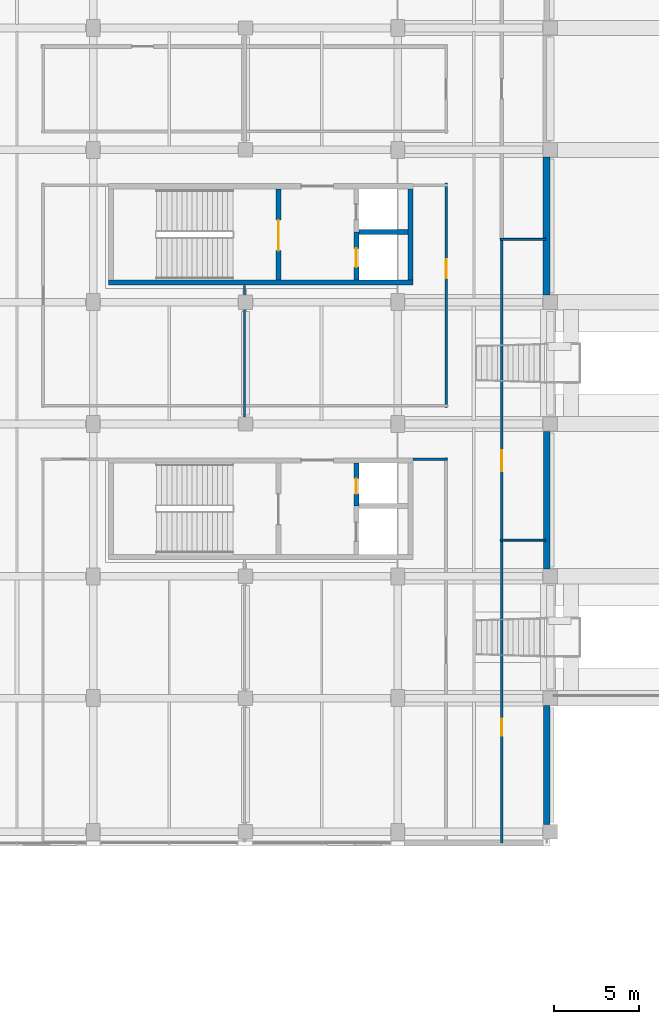
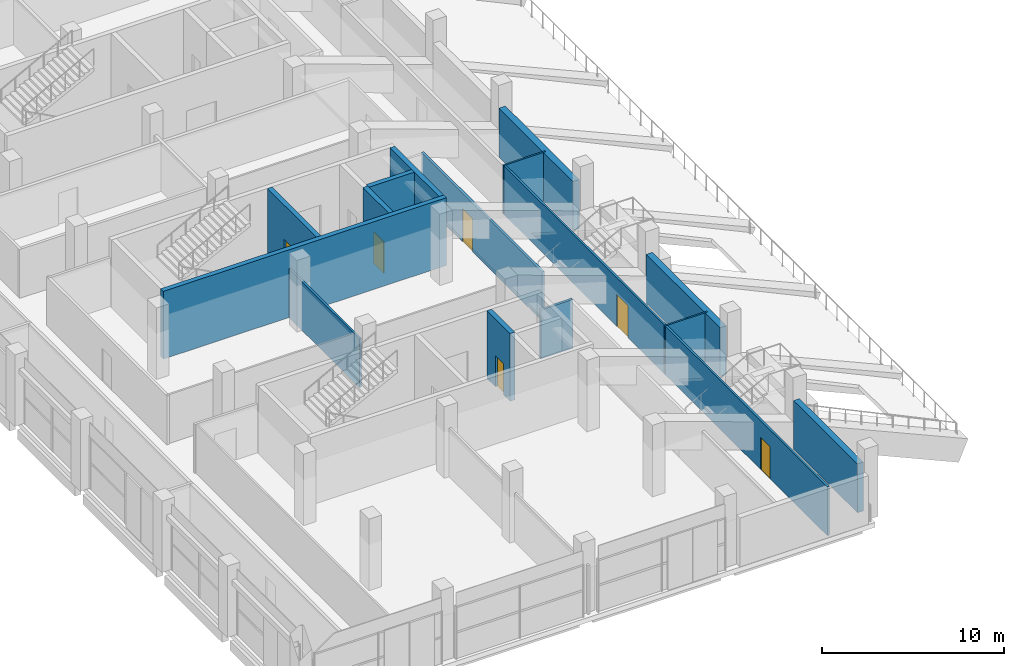
# One storey, part 48 of 66: 16 walls, 6 doors, 6 openings.
"""IFC4 building model written with IfcOpenShell, lengths in metres."""

import ifcopenshell
import ifcopenshell.guid

model = None  # the IFC model being written
_history = None  # IfcOwnerHistory: only IFC2X3 demands one
_inside = {}  # id of a spatial element -> (the spatial element, [elements in it])
_under = {}  # id of a project, library or spatial element -> (it, [spatial elements below it])
_declared = {}  # id of a project -> (the project, [libraries it declares])
_typed = {}  # id of a type object -> (the type object, [elements of that type])
_made_of = {}  # id of a material, layer set ... -> (it, [elements and type objects made of it])


def new_model(schema):
    """Start an empty IFC model of exactly this schema.

    Asked for "IFC4X3", IfcOpenShell would pick the latest addendum, in which some entities
    have other attributes; the version numbers below select the first issue.
    IFC2X3 requires an IfcOwnerHistory on every rooted entity: one is made here for all.
    """
    global model, _history
    if schema == "IFC4X3":
        model = ifcopenshell.file(schema_version=(4, 3, 0, 0))
    else:
        model = ifcopenshell.file(schema=schema)
    _inside.clear()
    _under.clear()
    _declared.clear()
    _typed.clear()
    _made_of.clear()
    _history = None
    if model.schema == "IFC2X3":
        org = make("IfcOrganization", Name="unknown")
        user = make(
            "IfcPersonAndOrganization",
            ThePerson=make("IfcPerson", FamilyName="unknown"),
            TheOrganization=org,
        )
        app = make(
            "IfcApplication",
            ApplicationDeveloper=org,
            Version="unknown",
            ApplicationFullName="unknown",
            ApplicationIdentifier="unknown",
        )
        _history = make(
            "IfcOwnerHistory",
            OwningUser=user,
            OwningApplication=app,
            ChangeAction="ADDED",
            CreationDate=0,
        )
    return model


def make(cls, **values):
    """One entity of the class cls with the attributes given. An attribute that is None is left unset."""
    return model.create_entity(
        cls, **{name: value for name, value in values.items() if value is not None}
    )


def rooted(cls, **values):
    """An entity with a GlobalId (a new one), such as an element, a storey or a relation."""
    return make(cls, GlobalId=ifcopenshell.guid.new(), OwnerHistory=_history, **values)


def si_unit(unit_type, name, prefix=None):
    """IfcSIUnit, for example si_unit("LENGTHUNIT", "METRE", prefix="MILLI")."""
    return make("IfcSIUnit", UnitType=unit_type, Prefix=prefix, Name=name)


def assignment(units):
    """IfcUnitAssignment: the units of a project."""
    return None if units is None else make("IfcUnitAssignment", Units=units)


def point(xyz):
    """IfcCartesianPoint."""
    return None if xyz is None else make("IfcCartesianPoint", Coordinates=xyz)


def direction(xyz):
    """IfcDirection."""
    return None if xyz is None else make("IfcDirection", DirectionRatios=xyz)


def frame(location, z_axis=None, x_axis=None):
    """IfcAxis2Placement3D, a coordinate frame: its origin and axes. An axis left out is left unset."""
    return make(
        "IfcAxis2Placement3D",
        Location=point(location),
        Axis=direction(z_axis),
        RefDirection=direction(x_axis),
    )


def frame_2d(location, x_axis=None):
    """IfcAxis2Placement2D, a coordinate frame in the plane: its origin and x axis."""
    return make(
        "IfcAxis2Placement2D", Location=point(location), RefDirection=direction(x_axis)
    )


def origin():
    """The frame at (0, 0, 0) with its axes left unset."""
    return frame((0.0, 0.0, 0.0))


def place(relative_to, where):
    """IfcLocalPlacement: puts the frame where relative to a parent placement (None: the world)."""
    return make(
        "IfcLocalPlacement", PlacementRelTo=relative_to, RelativePlacement=where
    )


def context(
    kind, dimensions, precision=None, world=None, true_north=None, identifier=None
):
    """IfcGeometricRepresentationContext, for example the 3D "Model" context."""
    return make(
        "IfcGeometricRepresentationContext",
        ContextIdentifier=identifier,
        ContextType=kind,
        CoordinateSpaceDimension=dimensions,
        Precision=precision,
        WorldCoordinateSystem=world,
        TrueNorth=true_north,
    )


def subcontext(parent, identifier, kind, view, scale=None):
    """IfcGeometricRepresentationSubContext, for example "Body" below "Model"."""
    return make(
        "IfcGeometricRepresentationSubContext",
        ContextIdentifier=identifier,
        ContextType=kind,
        ParentContext=parent,
        TargetScale=scale,
        TargetView=view,
    )


def project(units=None, contexts=None):
    """IfcProject with its units and contexts."""
    return rooted(
        "IfcProject",
        Name="project",
        RepresentationContexts=contexts,
        UnitsInContext=assignment(units),
    )


def spatial(cls, under=None, at=None, **own):
    """A site, building, storey or space (cls), placed at a placement, below another one or the project."""
    s = rooted(cls, ObjectPlacement=at, **own)
    if under is not None:
        _under.setdefault(under.id(), (under, []))[1].append(s)
    return s


def profile(cls, at=None, kind="AREA", **sizes):
    """A parametric profile (cls). Its sizes go by their IFC names, for example OverallWidth=200.0."""
    return make(cls, ProfileType=kind, Position=at, **sizes)


def rectangle(**sizes):
    """IfcRectangleProfileDef."""
    return profile("IfcRectangleProfileDef", **sizes)


def extrude(swept, where, along, depth):
    """IfcExtrudedAreaSolid: the profile swept, set in the frame where, extruded along a direction by depth."""
    return make(
        "IfcExtrudedAreaSolid",
        SweptArea=swept,
        Position=where,
        ExtrudedDirection=direction(along),
        Depth=depth,
    )


def shape(context_of_items, identifier, shape_type, items):
    """IfcShapeRepresentation: the items that make up one representation, for example the "Body"."""
    return make(
        "IfcShapeRepresentation",
        ContextOfItems=context_of_items,
        RepresentationIdentifier=identifier,
        RepresentationType=shape_type,
        Items=items,
    )


def material(Name=None, Category=None):
    """IfcMaterial."""
    return make("IfcMaterial", Name=Name, Category=Category)


def layer(
    of_material, thickness, ventilated=None, Name=None, Category=None, Priority=None
):
    """IfcMaterialLayer: one layer of a wall or slab, of a material (None: an air gap)."""
    return make(
        "IfcMaterialLayer",
        Material=of_material,
        LayerThickness=thickness,
        IsVentilated=ventilated,
        Name=Name,
        Category=Category,
        Priority=Priority,
    )


def layer_set(layers, Name=None):
    """IfcMaterialLayerSet."""
    return make("IfcMaterialLayerSet", MaterialLayers=layers, LayerSetName=Name)


def made_of(thing, what):
    """Note that an element or type object is made of a material, layer set ...; save() writes the relation."""
    if what is not None:
        _made_of.setdefault(what.id(), (what, []))[1].append(thing)
    return thing


def type_object(cls, material=None, **own):
    """A type object (cls), such as IfcWallType, which elements share."""
    return made_of(rooted(cls, **own), material)


def element(
    cls,
    number,
    at=None,
    inside=None,
    cuts=None,
    type_object=None,
    material=None,
    context=None,
    identifier="Body",
    shape_type=None,
    held_by="IfcProductDefinitionShape",
    body=None,
    shapes=None,
    **own,
):
    """One element of the class cls, such as IfcWall. Its Tag is "e" and its number.

    at: its placement. inside: the storey or other place that contains it. cuts: it is an
    opening in that element (IfcRelVoidsElement). A single representation is given by context,
    identifier, shape_type and body (its items); several are given by shapes. held_by: the class
    of the entity that holds the representations. save() writes the other relations.
    """
    e = rooted(cls, Tag="e%d" % number, ObjectPlacement=at, **own)
    if body is not None:
        shapes = [shape(context, identifier, shape_type, body)]
    if shapes is not None:
        e.Representation = make(held_by, Representations=shapes)
    if inside is not None:
        _inside.setdefault(inside.id(), (inside, []))[1].append(e)
    if cuts is not None:
        rooted(
            "IfcRelVoidsElement", RelatingBuildingElement=cuts, RelatedOpeningElement=e
        )
    if type_object is not None:
        _typed.setdefault(type_object.id(), (type_object, []))[1].append(e)
    return made_of(e, material)


def fill(opening, filler):
    """IfcRelFillsElement: the door or window that sits in an opening."""
    return rooted(
        "IfcRelFillsElement",
        RelatingOpeningElement=opening,
        RelatedBuildingElement=filler,
    )


def aggregate(whole, parts):
    """IfcRelAggregates: a whole, such as a stair, and the parts it consists of."""
    return rooted("IfcRelAggregates", RelatingObject=whole, RelatedObjects=parts)


def save(model, path):
    """Write the relations noted so far, then the file.

    IfcRelAggregates (storeys below a building ...), IfcRelContainedInSpatialStructure (elements
    in a storey), IfcRelDefinesByType, IfcRelAssociatesMaterial and IfcRelDeclares: one each for
    every whole, place, type object, material and project.
    """
    for whole, parts in _under.values():
        aggregate(whole, parts)
    for where, things in _inside.values():
        rooted(
            "IfcRelContainedInSpatialStructure",
            RelatedElements=things,
            RelatingStructure=where,
        )
    for kind, things in _typed.values():
        rooted("IfcRelDefinesByType", RelatedObjects=things, RelatingType=kind)
    for what, things in _made_of.values():
        rooted("IfcRelAssociatesMaterial", RelatedObjects=things, RelatingMaterial=what)
    for by, libraries in _declared.values():
        rooted("IfcRelDeclares", RelatingContext=by, RelatedDefinitions=libraries)
    model.write(path)


model = new_model("IFC4")

# Units and contexts
model_context = context("Model", 3, precision=1e-05, world=origin(), true_north=direction((0.0, 1.0)))
body_context = subcontext(model_context, "Body", "Model", "MODEL_VIEW")
ifc_project = project(units=[si_unit("LENGTHUNIT", "METRE"), si_unit("AREAUNIT", "SQUARE_METRE"), si_unit("VOLUMEUNIT", "CUBIC_METRE"), si_unit("PLANEANGLEUNIT", "RADIAN"), si_unit("MASSUNIT", "GRAM", prefix="KILO"), si_unit("THERMODYNAMICTEMPERATUREUNIT", "KELVIN"), si_unit("POWERUNIT", "WATT")], contexts=[model_context])

# Site, building, storey
site_placement = place(None, origin())
site = spatial("IfcSite", under=ifc_project, at=site_placement, CompositionType="ELEMENT")
building_placement = place(site_placement, origin())
building = spatial("IfcBuilding", under=site, at=building_placement, Name="Sindhuravela Promenade Stadium", CompositionType="ELEMENT")
storey_placement = place(building_placement, frame((0.0, 0.0, 19.199951171875)))
storey = spatial("IfcBuildingStorey", under=building, at=storey_placement, Name="L04", CompositionType="ELEMENT", Elevation=19.199951171875)

# Walls
ifc_material_1 = material(Name="Terracotta clay brick masonry (15 MPa)", Category="masonry")
ifc_layer_1 = layer(ifc_material_1, 0.3798828125)
ifc_layer_set_1 = layer_set([ifc_layer_1], Name="Terracotta clay brick masonry (15 MPa)")
wall_type_1 = type_object("IfcWallType", Name="EX-WL-BRK380", PredefinedType="SOLIDWALL", material=ifc_layer_set_1)
wall_1_placement = place(storey_placement, frame((35.800048828125, 44.570068359375, 0.0), z_axis=(0.0, 0.0, 1.0), x_axis=(0.0, -1.0, 0.0)))
element("IfcWall", 1, at=wall_1_placement, inside=storey, type_object=wall_type_1, Name="Exterior masonry wall EW04 WEST L04", PredefinedType="SOLIDWALL", context=body_context, shape_type="SweptSolid", body=[
    extrude(rectangle(XDim=7.0400390625, YDim=0.3798828125, at=frame_2d((3.52001953125, 0.0))), origin(), (0.0, 0.0, 1.0), 3.280029296875),
])
ifc_layer_2 = layer(ifc_material_1, 0.39990234375)
ifc_layer_set_2 = layer_set([ifc_layer_2], Name="Terracotta clay brick masonry (15 MPa)")
wall_type_2 = type_object("IfcWallType", Name="EX-WL-BRK400", PredefinedType="SOLIDWALL", material=ifc_layer_set_2)
wall_2_placement = place(storey_placement, frame((35.800048828125, 60.77001953125, 0.0), z_axis=(0.0, 0.0, 1.0), x_axis=(0.0, -1.0, 0.0)))
element("IfcWall", 2, at=wall_2_placement, inside=storey, type_object=wall_type_2, Name="Exterior masonry wall EW03 WEST L04", PredefinedType="SOLIDWALL", context=body_context, shape_type="SweptSolid", body=[
    extrude(rectangle(XDim=8.14013671875, YDim=0.39990234375, at=frame_2d((4.070068359375, 0.0))), origin(), (0.0, 0.0, 1.0), 3.280029296875),
])
ifc_layer_3 = layer(ifc_material_1, 0.419921875)
ifc_layer_set_3 = layer_set([ifc_layer_3], Name="Terracotta clay brick masonry (15 MPa)")
wall_type_3 = type_object("IfcWallType", Name="EX-WL-BRK420", PredefinedType="SOLIDWALL", material=ifc_layer_set_3)
wall_3_placement = place(storey_placement, frame((35.800048828125, 76.969970703125, 0.0), z_axis=(0.0, 0.0, 1.0), x_axis=(0.0, -1.0, 0.0)))
element("IfcWall", 3, at=wall_3_placement, inside=storey, type_object=wall_type_3, Name="Exterior masonry wall EW02 WEST L04", PredefinedType="SOLIDWALL", context=body_context, shape_type="SweptSolid", body=[
    extrude(rectangle(XDim=8.139892578125, YDim=0.419921875, at=frame_2d((4.06982421875, 0.0))), origin(), (0.0, 0.0, 1.0), 3.280029296875),
])
ifc_material_2 = material(Name="Fire-rated gypsum partition board", Category="gypsum")
ifc_layer_4 = layer(ifc_material_2, 0.110107421875)
ifc_layer_set_4 = layer_set([ifc_layer_4], Name="Fire-rated gypsum partition board")
wall_type_4 = type_object("IfcWallType", Name="IN-WL-PAR110", PredefinedType="PARTITIONING", material=ifc_layer_set_4)
for number, where, z_axis, x_axis, name in (
    (4, (33.06005859375, 54.342041015625, 0.0), (0.0, 0.0, 1.0), (1.0, 0.0, 0.0), "Interior partition IW06 WEST L04"),
    (5, (33.06005859375, 72.114013671875, 0.0), (0.0, 0.0, 1.0), (1.0, 0.0, 0.0), "Interior partition IW06 WEST L04"),
):
    element("IfcWall", number, at=place(storey_placement, frame(where, z_axis=z_axis, x_axis=x_axis)), inside=storey, type_object=wall_type_4, Name=name, PredefinedType="PARTITIONING", context=body_context, shape_type="SweptSolid", body=[
        extrude(rectangle(XDim=2.699951171875, YDim=0.110107421875, at=frame_2d((1.35009765625, 0.0))), origin(), (0.0, 0.0, 1.0), 3.280029296875),
    ])
ifc_layer_5 = layer(ifc_material_2, 0.1298828125)
ifc_layer_set_5 = layer_set([ifc_layer_5], Name="Fire-rated gypsum partition board")
wall_type_5 = type_object("IfcWallType", Name="IN-WL-PAR130", PredefinedType="PARTITIONING", material=ifc_layer_set_5)
wall_4_placement = place(storey_placement, frame((17.949951171875, 69.39794921875, 0.0), z_axis=(0.0, 0.0, 1.0), x_axis=(0.0, -1.0, 0.0)))
element("IfcWall", 6, at=wall_4_placement, inside=storey, type_object=wall_type_5, Name="Interior partition IW05 WEST L04", PredefinedType="PARTITIONING", context=body_context, shape_type="SweptSolid", body=[
    extrude(rectangle(XDim=7.77099609375, YDim=0.1298828125, at=frame_2d((3.885498046875, 0.0))), origin(), (0.0, 0.0, 1.0), 3.280029296875),
])

# Wall, opening, door
wall_5_placement = place(storey_placement, frame((33.139892578125, 54.342041015625, 0.0), z_axis=(0.0, 0.0, 1.0), x_axis=(0.0, -1.0, 0.0)))
wall_5 = element("IfcWall", 7, at=wall_5_placement, inside=storey, type_object=wall_type_5, Name="Corridor partition IW05 West Upper Concourse Hall 9", PredefinedType="PARTITIONING", context=body_context, shape_type="SweptSolid", body=[
    extrude(rectangle(XDim=17.89208984375, YDim=0.1298828125, at=frame_2d((8.946044921875, 0.0))), origin(), (0.0, 0.0, 1.0), 3.280029296875),
])
opening_1_placement = place(wall_5_placement, frame((10.55419921875, 0.0, 0.0)))
opening_1 = element("IfcOpeningElement", 8, at=opening_1_placement, cuts=wall_5, Name="Opening ID11", PredefinedType="OPENING", context=body_context, shape_type="SweptSolid", body=[
    extrude(rectangle(XDim=1.02001953125, YDim=2.159912109375, at=frame_2d((0.510009765625, 1.080078125))), frame((0.0, 0.074951171875, 0.0), z_axis=(0.0, -1.0, 0.0), x_axis=(1.0, 0.0, 0.0)), (0.0, 0.0, 1.0), 0.14990234375),
])
ifc_material_3 = material(Name="Architectural teak timber leaf", Category="wood")
door_type_1 = type_object("IfcDoorType", Name="DR-INT-1020x2160", OperationType="NOTDEFINED", PredefinedType="DOOR", material=ifc_material_3)
door_1_placement = place(opening_1_placement, origin())
door_1 = element("IfcDoor", 9, at=door_1_placement, inside=storey, type_object=door_type_1, Name="West Upper Concourse Hall 9 door", OperationType="SINGLE_SWING_LEFT", OverallHeight=2.159912109375, OverallWidth=1.02001953125, PredefinedType="DOOR", context=body_context, shape_type="SweptSolid", body=[
    extrude(rectangle(XDim=1.02001953125, YDim=2.159912109375, at=frame_2d((0.510009765625, 1.080078125))), frame((0.0, 0.02490234375, 0.0), z_axis=(0.0, -1.0, 0.0), x_axis=(1.0, 0.0, 0.0)), (0.0, 0.0, 1.0), 0.050048828125),
])
fill(opening_1, door_1)

wall_6_placement = place(storey_placement, frame((33.139892578125, 72.114013671875, 0.0), z_axis=(0.0, 0.0, 1.0), x_axis=(0.0, -1.0, 0.0)))
wall_6 = element("IfcWall", 10, at=wall_6_placement, inside=storey, type_object=wall_type_5, Name="Corridor partition IW05 Stadium Operations Office 12", PredefinedType="PARTITIONING", context=body_context, shape_type="SweptSolid", body=[
    extrude(rectangle(XDim=17.77197265625, YDim=0.1298828125, at=frame_2d((8.885986328125, 0.0))), origin(), (0.0, 0.0, 1.0), 3.280029296875),
])
opening_2_placement = place(wall_6_placement, frame((12.46875, 0.0, 0.0)))
opening_2 = element("IfcOpeningElement", 11, at=opening_2_placement, cuts=wall_6, Name="Opening ID04", PredefinedType="OPENING", context=body_context, shape_type="SweptSolid", body=[
    extrude(rectangle(XDim=1.25, YDim=2.14990234375, at=frame_2d((0.625, 1.074951171875))), frame((0.0, 0.074951171875, 0.0), z_axis=(0.0, -1.0, 0.0), x_axis=(1.0, 0.0, 0.0)), (0.0, 0.0, 1.0), 0.14990234375),
])
door_type_2 = type_object("IfcDoorType", Name="DR-INT-1250x2150", OperationType="NOTDEFINED", PredefinedType="DOOR", material=ifc_material_3)
door_2_placement = place(opening_2_placement, origin())
door_2 = element("IfcDoor", 12, at=door_2_placement, inside=storey, type_object=door_type_2, Name="Stadium Operations Office 12 door", OperationType="SINGLE_SWING_RIGHT", OverallHeight=2.14990234375, OverallWidth=1.25, PredefinedType="DOOR", context=body_context, shape_type="SweptSolid", body=[
    extrude(rectangle(XDim=1.25, YDim=2.14990234375, at=frame_2d((0.625, 1.074951171875))), frame((0.0, 0.02490234375, 0.0), z_axis=(0.0, -1.0, 0.0), x_axis=(1.0, 0.0, 0.0)), (0.0, 0.0, 1.0), 0.050048828125),
])
fill(opening_2, door_2)

# Wall
ifc_layer_6 = layer(ifc_material_2, 0.14990234375)
ifc_layer_set_6 = layer_set([ifc_layer_6], Name="Fire-rated gypsum partition board")
wall_type_6 = type_object("IfcWallType", Name="IN-WL-PAR150", PredefinedType="PARTITIONING", material=ifc_layer_set_6)
wall_7_placement = place(storey_placement, frame((27.902099609375, 59.110107421875, 0.0), z_axis=(0.0, 0.0, 1.0), x_axis=(1.0, 0.0, 0.0)))
element("IfcWall", 13, at=wall_7_placement, inside=storey, type_object=wall_type_6, Name="Interior partition IW04 WEST L04", PredefinedType="PARTITIONING", context=body_context, shape_type="SweptSolid", body=[
    extrude(rectangle(XDim=2.037841796875, YDim=0.14990234375, at=frame_2d((1.01904296875, 0.0))), origin(), (0.0, 0.0, 1.0), 3.280029296875),
])

# Wall, opening, door
wall_8_placement = place(storey_placement, frame((29.860107421875, 62.169921875, 0.0), z_axis=(0.0, 0.0, 1.0), x_axis=(0.0, 1.0, 0.0)))
wall_8 = element("IfcWall", 14, at=wall_8_placement, inside=storey, type_object=wall_type_6, Name="Corridor partition IW04 Public Toilet Block West L04", PredefinedType="PARTITIONING", context=body_context, shape_type="SweptSolid", body=[
    extrude(rectangle(XDim=13.260009765625, YDim=0.14990234375, at=frame_2d((6.6298828125, 0.0))), origin(), (0.0, 0.0, 1.0), 3.280029296875),
])
opening_3_placement = place(wall_8_placement, frame((7.63232421875, 0.0, 0.0)))
opening_3 = element("IfcOpeningElement", 15, at=opening_3_placement, cuts=wall_8, Name="Opening ID13", PredefinedType="OPENING", context=body_context, shape_type="SweptSolid", body=[
    extrude(rectangle(XDim=1.1201171875, YDim=2.219970703125, at=frame_2d((0.56005859375, 1.10986328125))), frame((0.0, 0.0849609375, 0.0), z_axis=(0.0, -1.0, 0.0), x_axis=(1.0, 0.0, 0.0)), (0.0, 0.0, 1.0), 0.169921875),
])
door_type_3 = type_object("IfcDoorType", Name="DR-INT-1120x2220", OperationType="NOTDEFINED", PredefinedType="DOOR", material=ifc_material_3)
door_3_placement = place(opening_3_placement, origin())
door_3 = element("IfcDoor", 16, at=door_3_placement, inside=storey, type_object=door_type_3, Name="Public Toilet Block West L04 door", OperationType="SINGLE_SWING_LEFT", OverallHeight=2.219970703125, OverallWidth=1.1201171875, PredefinedType="DOOR", context=body_context, shape_type="SweptSolid", body=[
    extrude(rectangle(XDim=1.1201171875, YDim=2.219970703125, at=frame_2d((0.56005859375, 1.10986328125))), frame((0.0, 0.02490234375, 0.0), z_axis=(0.0, -1.0, 0.0), x_axis=(1.0, 0.0, 0.0)), (0.0, 0.0, 1.0), 0.050048828125),
])
fill(opening_3, door_3)

ifc_material_4 = material(Name="Concrete M50", Category="concrete")
ifc_layer_7 = layer(ifc_material_4, 0.300048828125)
ifc_layer_set_7 = layer_set([ifc_layer_7], Name="Concrete M50")
wall_type_7 = type_object("IfcWallType", Name="RC-SW-300", PredefinedType="SHEAR", material=ifc_layer_set_7)
wall_9_placement = place(storey_placement, frame((24.550048828125, 56.35009765625, 0.0), z_axis=(0.0, 0.0, 1.0), x_axis=(0.0, 1.0, 0.0)))
wall_9 = element("IfcWall", 17, at=wall_9_placement, inside=storey, type_object=wall_type_7, Name="Core shear wall C01-RSR (L04)", PredefinedType="SHEAR", context=body_context, shape_type="SweptSolid", body=[
    extrude(rectangle(XDim=2.5498046875, YDim=0.300048828125, at=frame_2d((1.27490234375, 0.0))), origin(), (0.0, 0.0, 1.0), 4.550048828125),
])
opening_4_placement = place(wall_9_placement, frame((0.72509765625, 0.0, 0.0)))
opening_4 = element("IfcOpeningElement", 18, at=opening_4_placement, cuts=wall_9, Name="Opening FD03", PredefinedType="OPENING", context=body_context, shape_type="SweptSolid", body=[
    extrude(rectangle(XDim=0.89990234375, YDim=2.10009765625, at=frame_2d((0.449951171875, 1.050048828125))), frame((0.0, 0.159912109375, 0.0), z_axis=(0.0, -1.0, 0.0), x_axis=(1.0, 0.0, 0.0)), (0.0, 0.0, 1.0), 0.320068359375),
])
ifc_material_5 = material(Name="Architectural wrought steel E350", Category="steel")
door_type_4 = type_object("IfcDoorType", Name="DR-RSR-900x2100", OperationType="NOTDEFINED", PredefinedType="DOOR", material=ifc_material_5)
door_4_placement = place(opening_4_placement, origin())
door_4 = element("IfcDoor", 19, at=door_4_placement, inside=storey, type_object=door_type_4, Name="Riser shaft access door C01 (L04)", OperationType="SINGLE_SWING_LEFT", OverallHeight=2.10009765625, OverallWidth=0.89990234375, PredefinedType="DOOR", context=body_context, shape_type="SweptSolid", body=[
    extrude(rectangle(XDim=0.89990234375, YDim=2.10009765625, at=frame_2d((0.449951171875, 1.050048828125))), frame((0.0, 0.02490234375, 0.0), z_axis=(0.0, -1.0, 0.0), x_axis=(1.0, 0.0, 0.0)), (0.0, 0.0, 1.0), 0.050048828125),
])
fill(opening_4, door_4)

# Walls
wall_10_placement = place(storey_placement, frame((9.89990234375, 69.550048828125, 0.0), z_axis=(0.0, 0.0, 1.0), x_axis=(1.0, 0.0, 0.0)))
element("IfcWall", 20, at=wall_10_placement, inside=storey, type_object=wall_type_7, Name="Core shear wall C02-S (L04)", PredefinedType="SHEAR", context=body_context, shape_type="SweptSolid", body=[
    extrude(rectangle(XDim=18.0, YDim=0.300048828125, at=frame_2d((9.0, 0.0))), origin(), (0.0, 0.0, 1.0), 4.550048828125),
])
wall_11_placement = place(storey_placement, frame((27.75, 69.699951171875, 0.0), z_axis=(0.0, 0.0, 1.0), x_axis=(0.0, 1.0, 0.0)))
element("IfcWall", 21, at=wall_11_placement, inside=storey, type_object=wall_type_7, Name="Core shear wall C02-E (L04)", PredefinedType="SHEAR", context=body_context, shape_type="SweptSolid", body=[
    extrude(rectangle(XDim=5.400146484375, YDim=0.300048828125, at=frame_2d((2.7001953125, 0.0))), origin(), (0.0, 0.0, 1.0), 4.550048828125),
])

# Wall, opening, door
wall_12_placement = place(storey_placement, frame((19.949951171875, 69.699951171875, 0.0), z_axis=(0.0, 0.0, 1.0), x_axis=(0.0, 1.0, 0.0)))
wall_12 = element("IfcWall", 22, at=wall_12_placement, inside=storey, type_object=wall_type_7, Name="Core shear wall C02-ST (L04)", PredefinedType="SHEAR", context=body_context, shape_type="SweptSolid", body=[
    extrude(rectangle(XDim=5.400146484375, YDim=0.300048828125, at=frame_2d((2.7001953125, 0.0))), origin(), (0.0, 0.0, 1.0), 4.550048828125),
])
opening_5_placement = place(wall_12_placement, frame((1.75, 0.0, 0.0)))
opening_5 = element("IfcOpeningElement", 23, at=opening_5_placement, cuts=wall_12, Name="Opening FD01", PredefinedType="OPENING", context=body_context, shape_type="SweptSolid", body=[
    extrude(rectangle(XDim=1.800048828125, YDim=2.25, at=frame_2d((0.89990234375, 1.125))), frame((0.0, 0.159912109375, 0.0), z_axis=(0.0, -1.0, 0.0), x_axis=(1.0, 0.0, 0.0)), (0.0, 0.0, 1.0), 0.320068359375),
])
door_type_5 = type_object("IfcDoorType", Name="DR-CORE-1800x2250", OperationType="DOUBLE_DOOR_SINGLE_SWING", PredefinedType="DOOR", material=ifc_material_5)
door_5_placement = place(opening_5_placement, origin())
door_5 = element("IfcDoor", 24, at=door_5_placement, inside=storey, type_object=door_type_5, Name="Stair ST02 lobby fire door (L04)", OperationType="DOUBLE_DOOR_SINGLE_SWING", OverallHeight=2.25, OverallWidth=1.800048828125, PredefinedType="DOOR", context=body_context, shape_type="SweptSolid", body=[
    extrude(rectangle(XDim=1.800048828125, YDim=2.25, at=frame_2d((0.89990234375, 1.125))), frame((0.0, 0.02490234375, 0.0), z_axis=(0.0, -1.0, 0.0), x_axis=(1.0, 0.0, 0.0)), (0.0, 0.0, 1.0), 0.050048828125),
])
fill(opening_5, door_5)

wall_13_placement = place(storey_placement, frame((24.550048828125, 69.699951171875, 0.0), z_axis=(0.0, 0.0, 1.0), x_axis=(0.0, 1.0, 0.0)))
wall_13 = element("IfcWall", 25, at=wall_13_placement, inside=storey, type_object=wall_type_7, Name="Core shear wall C02-LFT (L04)", PredefinedType="SHEAR", context=body_context, shape_type="SweptSolid", body=[
    extrude(rectangle(XDim=2.85009765625, YDim=0.300048828125, at=frame_2d((1.425048828125, 0.0))), origin(), (0.0, 0.0, 1.0), 4.550048828125),
])
opening_6_placement = place(wall_13_placement, frame((0.77490234375, 0.0, 0.0)))
opening_6 = element("IfcOpeningElement", 26, at=opening_6_placement, cuts=wall_13, Name="Opening LD", PredefinedType="OPENING", context=body_context, shape_type="SweptSolid", body=[
    extrude(rectangle(XDim=1.10009765625, YDim=2.10009765625, at=frame_2d((0.550048828125, 1.050048828125))), frame((0.0, 0.159912109375, 0.0), z_axis=(0.0, -1.0, 0.0), x_axis=(1.0, 0.0, 0.0)), (0.0, 0.0, 1.0), 0.320068359375),
])
door_type_6 = type_object("IfcDoorType", Name="DR-LFT-1100x2100", OperationType="DOUBLE_DOOR_SLIDING", PredefinedType="DOOR", material=ifc_material_5)
door_6_placement = place(opening_6_placement, origin())
door_6 = element("IfcDoor", 27, at=door_6_placement, inside=storey, type_object=door_type_6, Name="Lift FL02 landing door (L04)", OperationType="DOUBLE_DOOR_SLIDING", OverallHeight=2.10009765625, OverallWidth=1.10009765625, PredefinedType="DOOR", context=body_context, shape_type="SweptSolid", body=[
    extrude(rectangle(XDim=1.10009765625, YDim=2.10009765625, at=frame_2d((0.550048828125, 1.050048828125))), frame((0.0, 0.02490234375, 0.0), z_axis=(0.0, -1.0, 0.0), x_axis=(1.0, 0.0, 0.0)), (0.0, 0.0, 1.0), 0.050048828125),
])
fill(opening_6, door_6)

# Wall
wall_14_placement = place(storey_placement, frame((24.699951171875, 72.550048828125, 0.0), z_axis=(0.0, 0.0, 1.0), x_axis=(1.0, 0.0, 0.0)))
element("IfcWall", 28, at=wall_14_placement, inside=storey, type_object=wall_type_7, Name="Core shear wall C02-DIV (L04)", PredefinedType="SHEAR", context=body_context, shape_type="SweptSolid", body=[
    extrude(rectangle(XDim=2.900146484375, YDim=0.300048828125, at=frame_2d((1.4501953125, 0.0))), origin(), (0.0, 0.0, 1.0), 4.550048828125),
])

save(model, "model.ifc")
